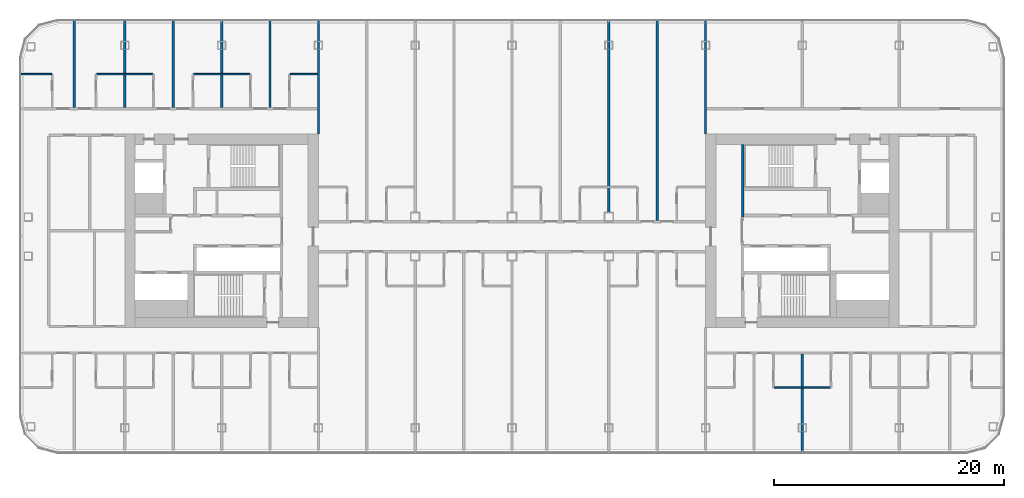
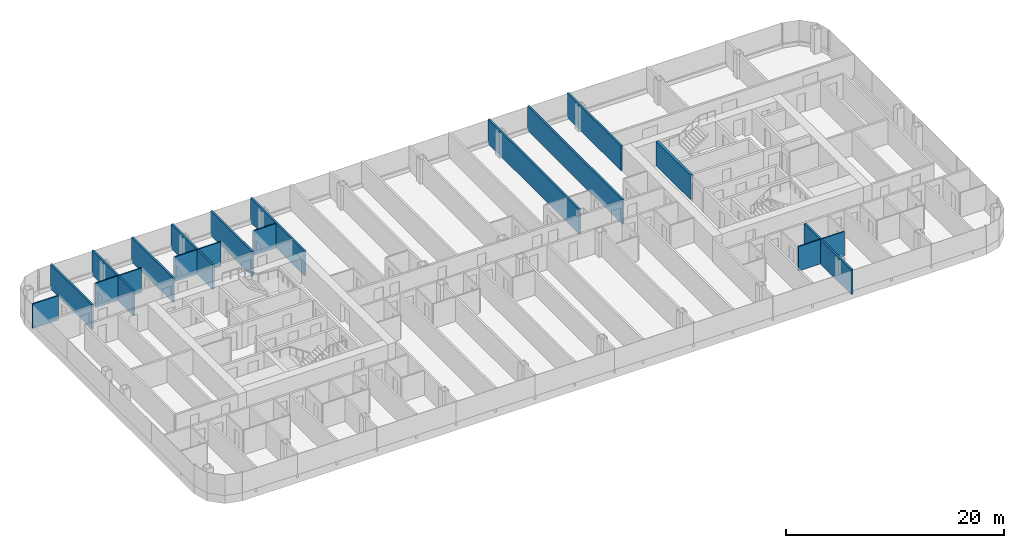
# One storey, part 16 of 27: 16 walls.
"""IFC4 building model written with IfcOpenShell, lengths in metres."""

from ifc_helpers import new_model, si_unit, direction, frame, frame_2d, origin, place, context, subcontext, project, spatial, rectangle, extrude, material, layer, layer_set, type_object, element, save


model = new_model("IFC4")

# Units and contexts
model_context = context("Model", 3, precision=1e-05, world=origin(), true_north=direction((0.0, 1.0)))
body_context = subcontext(model_context, "Body", "Model", "MODEL_VIEW")
ifc_project = project(units=[si_unit("LENGTHUNIT", "METRE"), si_unit("AREAUNIT", "SQUARE_METRE"), si_unit("VOLUMEUNIT", "CUBIC_METRE"), si_unit("PLANEANGLEUNIT", "RADIAN"), si_unit("MASSUNIT", "GRAM", prefix="KILO")], contexts=[model_context])

# Site, building, storey
site_placement = place(None, origin())
site = spatial("IfcSite", under=ifc_project, at=site_placement, CompositionType="ELEMENT")
building_placement = place(site_placement, origin())
building = spatial("IfcBuilding", under=site, at=building_placement, Name="Hakoniwa Tower and Hamabe Station Hall", CompositionType="ELEMENT")
storey_placement = place(building_placement, frame((0.0, 0.0, 166.199951171875)))
storey = spatial("IfcBuildingStorey", under=building, at=storey_placement, Name="L47", CompositionType="ELEMENT", Elevation=166.199951171875)

# Walls
ifc_material_1 = material(Name="Gypsum board partition", Category="gypsum")
ifc_layer_1 = layer(ifc_material_1, 0.125)
ifc_layer_set_1 = layer_set([ifc_layer_1], Name="Bathroom Partition 125")
wall_type_1 = type_object("IfcWallType", Name="Bathroom Partition 125", PredefinedType="PARTITIONING", material=ifc_layer_set_1)
wall_1_placement = place(storey_placement, frame((22.762451171875, -13.60009765625, 0.0), z_axis=(0.0, 0.0, 1.0), x_axis=(1.0, 0.0, 0.0)))
element("IfcWall", 1, at=wall_1_placement, inside=storey, type_object=wall_type_1, Name="GW-L47-006", PredefinedType="PARTITIONING", context=body_context, shape_type="SweptSolid", body=[
    extrude(rectangle(XDim=4.875, YDim=0.125, at=frame_2d((2.4375, 0.0))), origin(), (0.0, 0.0, 1.0), 2.75),
])
wall_2_placement = place(storey_placement, frame((-42.699951171875, 13.60009765625, 0.0), z_axis=(0.0, 0.0, 1.0), x_axis=(1.0, 0.0, 0.0)))
element("IfcWall", 2, at=wall_2_placement, inside=storey, type_object=wall_type_1, Name="GW-L47-031", PredefinedType="PARTITIONING", context=body_context, shape_type="SweptSolid", body=[
    extrude(rectangle(XDim=2.737548828125, YDim=0.125, at=frame_2d((1.36865234375, 0.0))), origin(), (0.0, 0.0, 1.0), 2.75),
])
for number, where, z_axis, x_axis, name in (
    (3, (-36.03759765625, 13.60009765625, 0.0), (0.0, 0.0, 1.0), (1.0, 0.0, 0.0), "GW-L47-032"),
    (4, (-27.637451171875, 13.60009765625, 0.0), (0.0, 0.0, 1.0), (1.0, 0.0, 0.0), "GW-L47-033"),
):
    element("IfcWall", number, at=place(storey_placement, frame(where, z_axis=z_axis, x_axis=x_axis)), inside=storey, type_object=wall_type_1, Name=name, PredefinedType="PARTITIONING", context=body_context, shape_type="SweptSolid", body=[
        extrude(rectangle(XDim=4.875, YDim=0.125, at=frame_2d((2.4375, 0.0))), origin(), (0.0, 0.0, 1.0), 2.75),
    ])
wall_3_placement = place(storey_placement, frame((-19.237548828125, 13.60009765625, 0.0), z_axis=(0.0, 0.0, 1.0), x_axis=(1.0, 0.0, 0.0)))
element("IfcWall", 5, at=wall_3_placement, inside=storey, type_object=wall_type_1, Name="GW-L47-034", PredefinedType="PARTITIONING", context=body_context, shape_type="SweptSolid", body=[
    extrude(rectangle(XDim=2.337646484375, YDim=0.125, at=frame_2d((1.1689453125, 0.0))), origin(), (0.0, 0.0, 1.0), 2.75),
])
ifc_material_2 = material(Name="Concrete C66", Category="concrete")
ifc_layer_2 = layer(ifc_material_2, 0.25)
ifc_layer_set_2 = layer_set([ifc_layer_2], Name="CORE WEB WALL 250 C66")
wall_type_2 = type_object("IfcWallType", Name="CORE WEB WALL 250 C66", PredefinedType="SHEAR", material=ifc_layer_set_2)
wall_4_placement = place(storey_placement, frame((20.02490234375, 1.199951171875, 0.0), z_axis=(0.0, 0.0, 1.0), x_axis=(0.0, 1.0, 0.0)))
element("IfcWall", 6, at=wall_4_placement, inside=storey, type_object=wall_type_2, Name="Core wall W1N east", PredefinedType="SHEAR", context=body_context, shape_type="SweptSolid", body=[
    extrude(rectangle(XDim=6.300048828125, YDim=0.25, at=frame_2d((3.14990234375, 0.0))), origin(), (0.0, 0.0, 1.0), 2.75),
])
ifc_material_3 = material(Name="Fire-rated gypsum board partition", Category="gypsum")
ifc_layer_3 = layer(ifc_material_3, 0.199951171875)
ifc_layer_set_3 = layer_set([ifc_layer_3], Name="Party Wall 200")
wall_type_3 = type_object("IfcWallType", Name="Party Wall 200", PredefinedType="PARTITIONING", material=ifc_layer_set_3)
for number, where, z_axis, x_axis, name in (
    (7, (-38.0, 10.699951171875, 0.0), (0.0, 0.0, 1.0), (0.0, 1.0, 0.0), "GW-L47-039"),
    (8, (-33.60009765625, 10.699951171875, 0.0), (0.0, 0.0, 1.0), (0.0, 1.0, 0.0), "GW-L47-045"),
    (9, (-29.39990234375, 10.699951171875, 0.0), (0.0, 0.0, 1.0), (0.0, 1.0, 0.0), "GW-L47-049"),
    (10, (-25.199951171875, 10.699951171875, 0.0), (0.0, 0.0, 1.0), (0.0, 1.0, 0.0), "GW-L47-053"),
    (11, (-21.0, 10.699951171875, 0.0), (0.0, 0.0, 1.0), (0.0, 1.0, 0.0), "GW-L47-057"),
):
    element("IfcWall", number, at=place(storey_placement, frame(where, z_axis=z_axis, x_axis=x_axis)), inside=storey, type_object=wall_type_3, Name=name, PredefinedType="PARTITIONING", context=body_context, shape_type="SweptSolid", body=[
        extrude(rectangle(XDim=7.60009765625, YDim=0.199951171875, at=frame_2d((3.800048828125, 0.0))), origin(), (0.0, 0.0, 1.0), 2.75),
    ])
wall_5_placement = place(storey_placement, frame((-16.800048828125, 8.389892578125, 0.0), z_axis=(0.0, 0.0, 1.0), x_axis=(0.0, 1.0, 0.0)))
element("IfcWall", 12, at=wall_5_placement, inside=storey, type_object=wall_type_3, Name="GW-L47-061", PredefinedType="PARTITIONING", context=body_context, shape_type="SweptSolid", body=[
    extrude(rectangle(XDim=9.91015625, YDim=0.199951171875, at=frame_2d((4.955078125, 0.0))), origin(), (0.0, 0.0, 1.0), 2.75),
])
wall_6_placement = place(storey_placement, frame((8.39990234375, 1.590087890625, 0.0), z_axis=(0.0, 0.0, 1.0), x_axis=(0.0, 1.0, 0.0)))
element("IfcWall", 13, at=wall_6_placement, inside=storey, type_object=wall_type_3, Name="GW-L47-081", PredefinedType="PARTITIONING", context=body_context, shape_type="SweptSolid", body=[
    extrude(rectangle(XDim=16.7099609375, YDim=0.199951171875, at=frame_2d((8.35498046875, 0.0))), origin(), (0.0, 0.0, 1.0), 2.75),
])
wall_7_placement = place(storey_placement, frame((12.60009765625, 0.89990234375, 0.0), z_axis=(0.0, 0.0, 1.0), x_axis=(0.0, 1.0, 0.0)))
element("IfcWall", 14, at=wall_7_placement, inside=storey, type_object=wall_type_3, Name="GW-L47-085", PredefinedType="PARTITIONING", context=body_context, shape_type="SweptSolid", body=[
    extrude(rectangle(XDim=17.400146484375, YDim=0.199951171875, at=frame_2d((8.7001953125, 0.0))), origin(), (0.0, 0.0, 1.0), 2.75),
])
wall_8_placement = place(storey_placement, frame((16.800048828125, 8.389892578125, 0.0), z_axis=(0.0, 0.0, 1.0), x_axis=(0.0, 1.0, 0.0)))
element("IfcWall", 15, at=wall_8_placement, inside=storey, type_object=wall_type_3, Name="GW-L47-089", PredefinedType="PARTITIONING", context=body_context, shape_type="SweptSolid", body=[
    extrude(rectangle(XDim=9.91015625, YDim=0.199951171875, at=frame_2d((4.955078125, 0.0))), origin(), (0.0, 0.0, 1.0), 2.75),
])
wall_9_placement = place(storey_placement, frame((25.199951171875, -19.300048828125, 0.0), z_axis=(0.0, 0.0, 1.0), x_axis=(0.0, 1.0, 0.0)))
element("IfcWall", 16, at=wall_9_placement, inside=storey, type_object=wall_type_3, Name="GW-L47-093", PredefinedType="PARTITIONING", context=body_context, shape_type="SweptSolid", body=[
    extrude(rectangle(XDim=8.60009765625, YDim=0.199951171875, at=frame_2d((4.300048828125, 0.0))), origin(), (0.0, 0.0, 1.0), 2.75),
])

save(model, "model.ifc")
